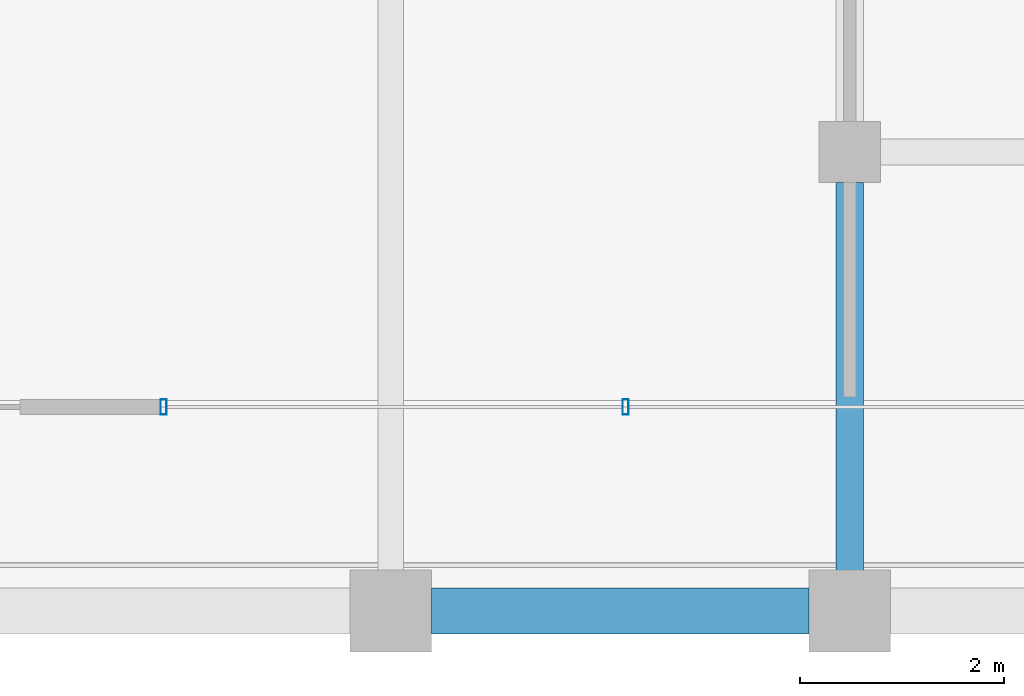
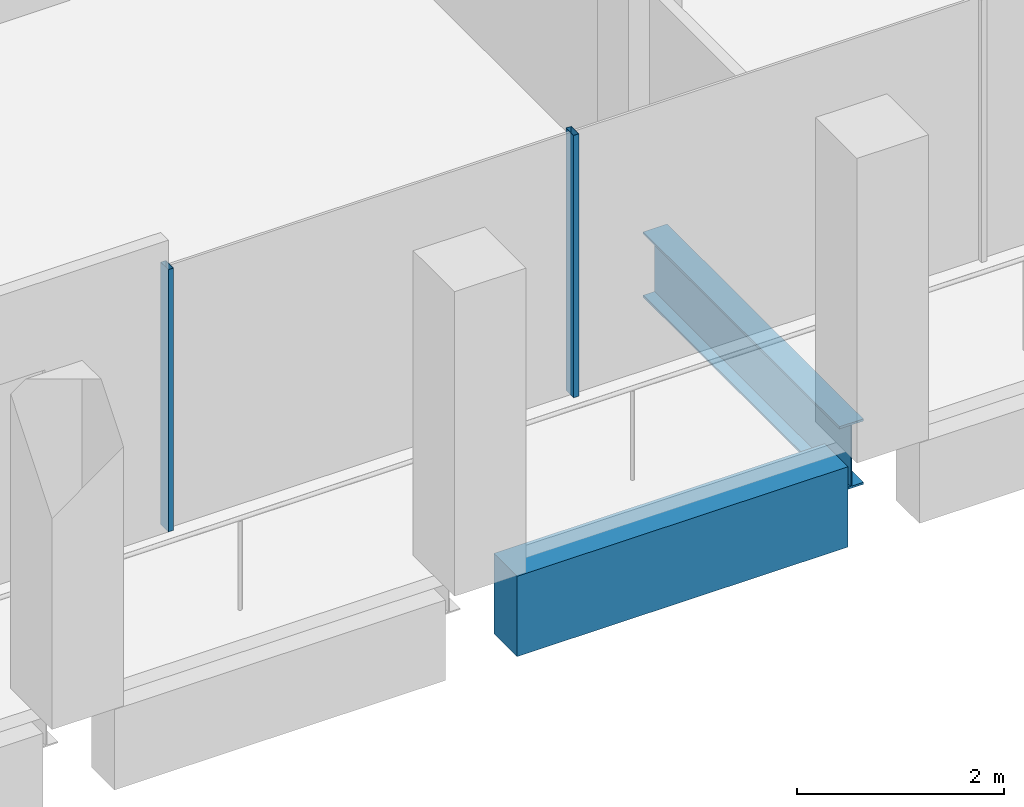
# One storey, part 9 of 30: 2 beams, 2 members, 1 element without a shape of its own.
"""IFC4 building model written with IfcOpenShell, lengths in metres."""

from ifc_helpers import new_model, si_unit, direction, frame, origin, origin_2d, place, context, subcontext, project, spatial, rectangle, hollow_rectangle, i_section, extrude, material, material_profile, profile_set, type_object, element, aggregate, save


model = new_model("IFC4")

# Units and contexts
model_context = context("Model", 3, precision=1e-05, world=origin(), true_north=direction((0.0, 1.0)))
body_context = subcontext(model_context, "Body", "Model", "MODEL_VIEW")
ifc_project = project(units=[si_unit("LENGTHUNIT", "METRE"), si_unit("AREAUNIT", "SQUARE_METRE"), si_unit("VOLUMEUNIT", "CUBIC_METRE"), si_unit("PLANEANGLEUNIT", "RADIAN"), si_unit("MASSUNIT", "GRAM", prefix="KILO")], contexts=[model_context])

# Site, building, storey
site_placement = place(None, origin())
site = spatial("IfcSite", under=ifc_project, at=site_placement, CompositionType="ELEMENT")
building_placement = place(site_placement, origin())
building = spatial("IfcBuilding", under=site, at=building_placement, Name="Altepetl Exchange Towers", CompositionType="ELEMENT")
storey_placement = place(building_placement, frame((0.0, 0.0, 228.0)))
storey = spatial("IfcBuildingStorey", under=building, at=storey_placement, Name="L58", CompositionType="ELEMENT", Elevation=228.0)

# Beam
ifc_material_1 = material(Name="Steel S355", Category="steel")
ifc_material_profile_1 = material_profile(ifc_material_1, i_section(OverallWidth=0.26806640625, OverallDepth=0.77392578125, WebThickness=0.015380859375, FlangeThickness=0.025390625, at=origin_2d()), Name="W30X132")
ifc_profile_set_1 = profile_set([ifc_material_profile_1], Name="Steel S355")
beam_type_1 = type_object("IfcBeamType", Name="Girder W30X132", PredefinedType="BEAM", material=ifc_profile_set_1)
beam_1_placement = place(storey_placement, frame((58.5, 31.199951171875, -0.537109375), z_axis=(0.0, -1.0, 0.0), x_axis=(1.0, 0.0, 0.0)))
element("IfcBeam", 1, at=beam_1_placement, inside=storey, type_object=beam_type_1, Name="gd:A:L58:005", PredefinedType="BEAM", context=body_context, shape_type="SweptSolid", body=[
    extrude(i_section(OverallWidth=0.26806640625, OverallDepth=0.77392578125, WebThickness=0.015380859375, FlangeThickness=0.025390625, at=origin_2d()), origin(), (0.0, 0.0, 1.0), 3.800048828125),
])

# Curtain wall, members
ifc_material_2 = material(Name="Aluminium 6063-T6 glazing", Category="aluminium")
curtain_wall_type = type_object("IfcCurtainWallType", Name="Loggia glazing system", PredefinedType="NOTDEFINED", material=ifc_material_2)
curtain_wall_placement = place(storey_placement, origin())
curtain_wall = element("IfcCurtainWall", 2, at=curtain_wall_placement, inside=storey, type_object=curtain_wall_type, Name="CW1 run", PredefinedType="NOTDEFINED")
ifc_material_3 = material(Name="Aluminium 6063-T6", Category="aluminium")
ifc_material_profile_2 = material_profile(ifc_material_3, hollow_rectangle(XDim=0.06005859375, YDim=0.14990234375, WallThickness=0.0029296875, at=origin_2d()), Name="Mullion 60x150 aluminium")
ifc_profile_set_2 = profile_set([ifc_material_profile_2], Name="Aluminium 6063-T6")
member_type = type_object("IfcMemberType", Name="Mullion 60x150 aluminium", PredefinedType="MULLION", material=ifc_profile_set_2)
member_1_placement = place(storey_placement, frame((51.77294921875, 29.0, 0.0)))
member_1 = element("IfcMember", 3, at=member_1_placement, type_object=member_type, Name="MU1 mullion", PredefinedType="MULLION", context=body_context, shape_type="SweptSolid", body=[
    extrude(hollow_rectangle(XDim=0.06005859375, YDim=0.14990234375, WallThickness=0.0029296875, at=origin_2d()), origin(), (0.0, 0.0, 1.0), 3.10009765625),
])
member_2_placement = place(storey_placement, frame((56.303466796875, 29.0, 0.0)))
member_2 = element("IfcMember", 4, at=member_2_placement, type_object=member_type, Name="MU1 mullion", PredefinedType="MULLION", context=body_context, shape_type="SweptSolid", body=[
    extrude(hollow_rectangle(XDim=0.06005859375, YDim=0.14990234375, WallThickness=0.0029296875, at=origin_2d()), origin(), (0.0, 0.0, 1.0), 3.10009765625),
])
aggregate(curtain_wall, [member_1, member_2])

# Beam
ifc_material_4 = material(Name="Concrete C50/60 precast with cantera blanca facing", Category="concrete")
ifc_material_profile_3 = material_profile(ifc_material_4, rectangle(XDim=0.449951171875, YDim=0.949951171875, at=origin_2d()), Name="450 x 950")
ifc_profile_set_3 = profile_set([ifc_material_profile_3], Name="Concrete C50/60 precast with cantera blanca facing")
beam_type_2 = type_object("IfcBeamType", Name="Spandrel beam 450x950 cantera blanca", PredefinedType="SPANDREL", material=ifc_profile_set_3)
beam_2_placement = place(storey_placement, frame((54.39990234375, 27.0, -0.625), z_axis=(1.0, 0.0, 0.0), x_axis=(0.0, 1.0, 0.0)))
element("IfcBeam", 5, at=beam_2_placement, inside=storey, type_object=beam_type_2, Name="sp:A:L58:005", PredefinedType="SPANDREL", context=body_context, shape_type="SweptSolid", body=[
    extrude(rectangle(XDim=0.449951171875, YDim=0.949951171875, at=origin_2d()), origin(), (0.0, 0.0, 1.0), 3.7001953125),
])

save(model, "model.ifc")
